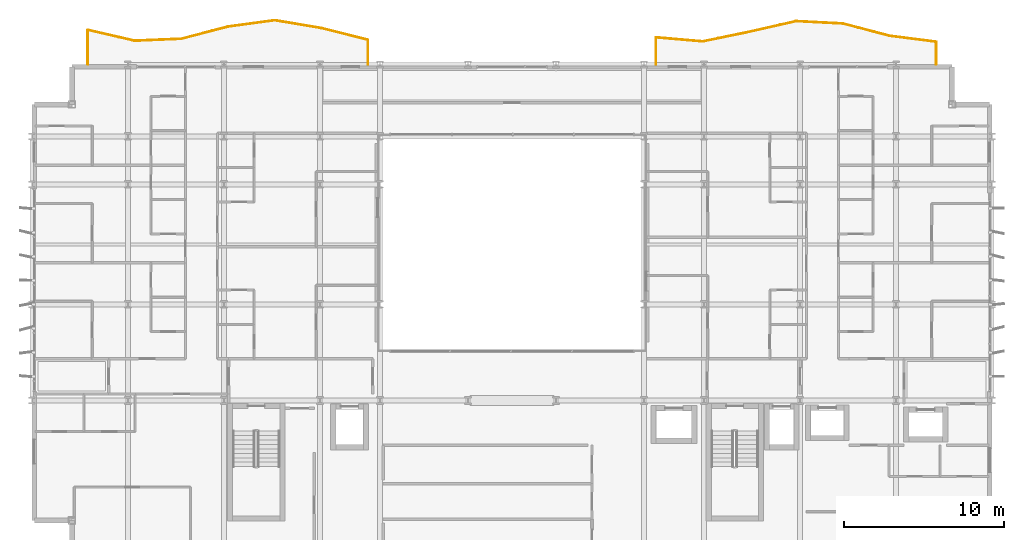
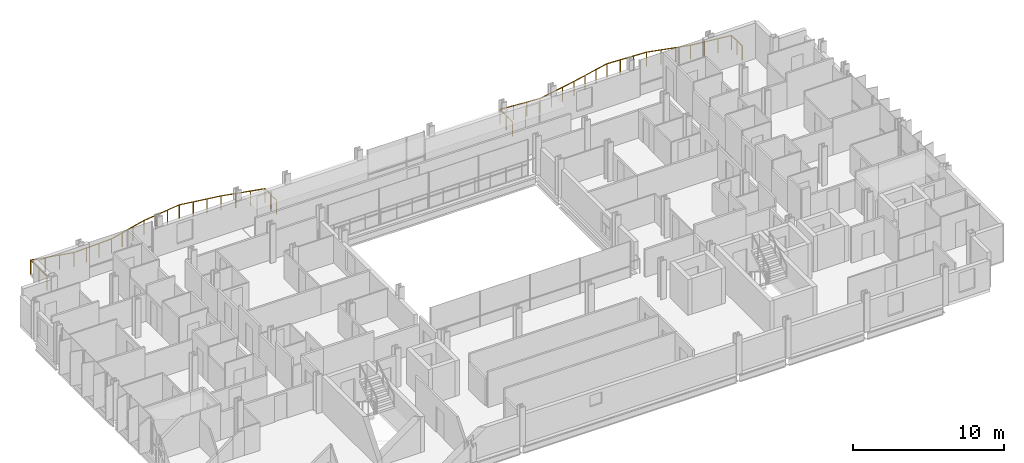
# One storey, part 39 of 39: 2 railings.
"""IFC4 building model written with IfcOpenShell, lengths in metres."""

from ifc_helpers import new_model, si_unit, direction, frame, origin, origin_2d, place, context, subcontext, project, spatial, circle, extrude, material, type_object, element, save


model = new_model("IFC4")

# Units and contexts
model_context = context("Model", 3, precision=1e-05, world=origin(), true_north=direction((0.0, 1.0)))
body_context = subcontext(model_context, "Body", "Model", "MODEL_VIEW")
ifc_project = project(units=[si_unit("LENGTHUNIT", "METRE"), si_unit("AREAUNIT", "SQUARE_METRE"), si_unit("VOLUMEUNIT", "CUBIC_METRE"), si_unit("PLANEANGLEUNIT", "RADIAN"), si_unit("MASSUNIT", "GRAM", prefix="KILO")], contexts=[model_context])

# Site, building, storey
site_placement = place(None, origin())
site = spatial("IfcSite", under=ifc_project, at=site_placement, CompositionType="ELEMENT")
building_placement = place(site_placement, origin())
building = spatial("IfcBuilding", under=site, at=building_placement, Name="Brevholm Reach", CompositionType="ELEMENT")
storey_placement = place(building_placement, frame((0.0, 0.0, 34.199951171875)))
storey = spatial("IfcBuildingStorey", under=building, at=storey_placement, Name="L08", CompositionType="ELEMENT", Elevation=34.199951171875)

# Railings
ifc_material = material(Name="Brushed Stainless Steel EN 1.4401 and Laminated Glass", Category="steel")
railing_type = type_object("IfcRailingType", Name="RAL-BALC-1150", PredefinedType="BALUSTRADE", material=ifc_material)
railing_1_placement = place(storey_placement, frame((56.5, 31.0, 0.0)))
element("IfcRailing", 1, at=railing_1_placement, inside=storey, type_object=railing_type, Name="L08 Guard Balustrade RAL-L08-BAL-NE", PredefinedType="BALUSTRADE", context=body_context, shape_type="SweptSolid", body=[
    extrude(circle(Radius=0.02392578125, at=origin_2d()), frame((0.0, 0.0, 1.1259765625), z_axis=(0.0, 1.0, 0.0), x_axis=(-1.0, 0.0, 0.0)), (0.0, 0.0, 1.0), 1.40380859375),
    extrude(circle(Radius=0.02392578125, at=origin_2d()), frame((0.0, 1.40380859375, 1.1259765625), z_axis=(-0.991825721968, 0.127599910828, 0.0), x_axis=(-0.127599910828, -0.991825721968, 0.0)), (0.0, 0.0, 1.0), 2.940673828125),
    extrude(circle(Radius=0.02392578125, at=origin_2d()), frame((-2.916748046875, 1.779052734375, 1.1259765625), z_axis=(-0.967287116441, 0.253684123205, 0.0), x_axis=(-0.253684123205, -0.967287116441, 0.0)), (0.0, 0.0, 1.0), 3.01513671875),
    extrude(circle(Radius=0.02392578125, at=origin_2d()), frame((-5.833251953125, 2.5439453125, 1.1259765625), z_axis=(-0.998720239463, 0.050575520622, 0.0), x_axis=(-0.050575520622, -0.998720239463, 0.0)), (0.0, 0.0, 1.0), 2.92041015625),
    extrude(circle(Radius=0.02392578125, at=origin_2d()), frame((-8.75, 2.691650390625, 1.1259765625), z_axis=(-0.975066268344, -0.221913884961, 0.0), x_axis=(0.221913884961, -0.975066268344, 0.0)), (0.0, 0.0, 1.0), 2.991455078125),
    extrude(circle(Radius=0.02392578125, at=origin_2d()), frame((-11.666748046875, 2.02783203125, 1.1259765625), z_axis=(-0.979367411888, -0.202087784221, 0.0), x_axis=(0.202087784221, -0.979367411888, 0.0)), (0.0, 0.0, 1.0), 2.97802734375),
    extrude(circle(Radius=0.02392578125, at=origin_2d()), frame((-14.583251953125, 1.426025390625, 1.1259765625), z_axis=(-0.996282713287, 0.086143805376, 0.0), x_axis=(-0.086143805376, -0.996282713287, 0.0)), (0.0, 0.0, 1.0), 2.927734375),
    extrude(circle(Radius=0.02392578125, at=origin_2d()), frame((-17.5, 1.67822265625, 1.1259765625), z_axis=(0.0, -1.0, 0.0), x_axis=(1.0, 0.0, 0.0)), (0.0, 0.0, 1.0), 1.67822265625),
    extrude(circle(Radius=0.02099609375, at=origin_2d()), origin(), (0.0, 0.0, 1.0), 1.101806640625),
    extrude(circle(Radius=0.02099609375, at=origin_2d()), frame((0.0, 0.701904296875, 0.0)), (0.0, 0.0, 1.0), 1.101806640625),
    extrude(circle(Radius=0.02099609375, at=origin_2d()), frame((0.0, 1.40380859375, 0.0)), (0.0, 0.0, 1.0), 1.101806640625),
    extrude(circle(Radius=0.02099609375, at=origin_2d()), frame((-0.97216796875, 1.52880859375, 0.0)), (0.0, 0.0, 1.0), 1.101806640625),
    extrude(circle(Radius=0.02099609375, at=origin_2d()), frame((-1.944580078125, 1.654052734375, 0.0)), (0.0, 0.0, 1.0), 1.101806640625),
    extrude(circle(Radius=0.02099609375, at=origin_2d()), frame((-2.916748046875, 1.779052734375, 0.0)), (0.0, 0.0, 1.0), 1.101806640625),
    extrude(circle(Radius=0.02099609375, at=origin_2d()), frame((-3.888916015625, 2.033935546875, 0.0)), (0.0, 0.0, 1.0), 1.101806640625),
    extrude(circle(Radius=0.02099609375, at=origin_2d()), frame((-4.861083984375, 2.2890625, 0.0)), (0.0, 0.0, 1.0), 1.101806640625),
    extrude(circle(Radius=0.02099609375, at=origin_2d()), frame((-5.833251953125, 2.5439453125, 0.0)), (0.0, 0.0, 1.0), 1.101806640625),
    extrude(circle(Radius=0.02099609375, at=origin_2d()), frame((-6.805419921875, 2.59326171875, 0.0)), (0.0, 0.0, 1.0), 1.101806640625),
    extrude(circle(Radius=0.02099609375, at=origin_2d()), frame((-7.77783203125, 2.642333984375, 0.0)), (0.0, 0.0, 1.0), 1.101806640625),
    extrude(circle(Radius=0.02099609375, at=origin_2d()), frame((-8.75, 2.691650390625, 0.0)), (0.0, 0.0, 1.0), 1.101806640625),
    extrude(circle(Radius=0.02099609375, at=origin_2d()), frame((-9.72216796875, 2.470458984375, 0.0)), (0.0, 0.0, 1.0), 1.101806640625),
    extrude(circle(Radius=0.02099609375, at=origin_2d()), frame((-10.694580078125, 2.2490234375, 0.0)), (0.0, 0.0, 1.0), 1.101806640625),
    extrude(circle(Radius=0.02099609375, at=origin_2d()), frame((-11.666748046875, 2.02783203125, 0.0)), (0.0, 0.0, 1.0), 1.101806640625),
    extrude(circle(Radius=0.02099609375, at=origin_2d()), frame((-12.638916015625, 1.8271484375, 0.0)), (0.0, 0.0, 1.0), 1.101806640625),
    extrude(circle(Radius=0.02099609375, at=origin_2d()), frame((-13.611083984375, 1.626708984375, 0.0)), (0.0, 0.0, 1.0), 1.101806640625),
    extrude(circle(Radius=0.02099609375, at=origin_2d()), frame((-14.583251953125, 1.426025390625, 0.0)), (0.0, 0.0, 1.0), 1.101806640625),
    extrude(circle(Radius=0.02099609375, at=origin_2d()), frame((-15.555419921875, 1.510009765625, 0.0)), (0.0, 0.0, 1.0), 1.101806640625),
    extrude(circle(Radius=0.02099609375, at=origin_2d()), frame((-16.52783203125, 1.59423828125, 0.0)), (0.0, 0.0, 1.0), 1.101806640625),
    extrude(circle(Radius=0.02099609375, at=origin_2d()), frame((-17.5, 1.67822265625, 0.0)), (0.0, 0.0, 1.0), 1.101806640625),
    extrude(circle(Radius=0.02099609375, at=origin_2d()), frame((-17.5, 0.839111328125, 0.0)), (0.0, 0.0, 1.0), 1.101806640625),
    extrude(circle(Radius=0.02099609375, at=origin_2d()), frame((-17.5, 0.0, 0.0)), (0.0, 0.0, 1.0), 1.101806640625),
])
railing_2_placement = place(storey_placement, frame((21.0, 31.0, 0.0)))
element("IfcRailing", 2, at=railing_2_placement, inside=storey, type_object=railing_type, Name="L08 Guard Balustrade RAL-L08-BAL-NW", PredefinedType="BALUSTRADE", context=body_context, shape_type="SweptSolid", body=[
    extrude(circle(Radius=0.02392578125, at=origin_2d()), frame((0.0, 0.0, 1.1259765625), z_axis=(0.0, 1.0, 0.0), x_axis=(-1.0, 0.0, 0.0)), (0.0, 0.0, 1.0), 1.52880859375),
    extrude(circle(Radius=0.02392578125, at=origin_2d()), frame((0.0, 1.52880859375, 1.1259765625), z_axis=(-0.969908046993, 0.243471518618, 0.0), x_axis=(-0.243471518618, -0.969908046993, 0.0)), (0.0, 0.0, 1.0), 3.00732421875),
    extrude(circle(Radius=0.02392578125, at=origin_2d()), frame((-2.916748046875, 2.260986328125, 1.1259765625), z_axis=(-0.986326897089, 0.164800643445, 0.0), x_axis=(-0.164800643445, -0.986326897089, 0.0)), (0.0, 0.0, 1.0), 2.95703125),
    extrude(circle(Radius=0.02392578125, at=origin_2d()), frame((-5.833251953125, 2.748291015625, 1.1259765625), z_axis=(-0.990787222307, -0.135427767141, 0.0), x_axis=(0.135427767141, -0.990787222307, 0.0)), (0.0, 0.0, 1.0), 2.94384765625),
    extrude(circle(Radius=0.02392578125, at=origin_2d()), frame((-8.75, 2.349609375, 1.1259765625), z_axis=(-0.967668860758, -0.252224058961, 0.0), x_axis=(0.252224058961, -0.967668860758, 0.0)), (0.0, 0.0, 1.0), 3.01416015625),
    extrude(circle(Radius=0.02392578125, at=origin_2d()), frame((-11.666748046875, 1.58935546875, 1.1259765625), z_axis=(-0.999139150441, -0.041484431493, 0.0), x_axis=(0.041484431493, -0.999139150441, 0.0)), (0.0, 0.0, 1.0), 2.9189453125),
    extrude(circle(Radius=0.02392578125, at=origin_2d()), frame((-14.583251953125, 1.46826171875, 1.1259765625), z_axis=(-0.974086615793, 0.226175296912, 0.0), x_axis=(-0.226175296912, -0.974086615793, 0.0)), (0.0, 0.0, 1.0), 2.994384765625),
    extrude(circle(Radius=0.02392578125, at=origin_2d()), frame((-17.5, 2.1455078125, 1.1259765625), z_axis=(0.0, -1.0, 0.0), x_axis=(1.0, 0.0, 0.0)), (0.0, 0.0, 1.0), 2.1455078125),
    extrude(circle(Radius=0.02099609375, at=origin_2d()), origin(), (0.0, 0.0, 1.0), 1.101806640625),
    extrude(circle(Radius=0.02099609375, at=origin_2d()), frame((0.0, 0.764404296875, 0.0)), (0.0, 0.0, 1.0), 1.101806640625),
    extrude(circle(Radius=0.02099609375, at=origin_2d()), frame((0.0, 1.52880859375, 0.0)), (0.0, 0.0, 1.0), 1.101806640625),
    extrude(circle(Radius=0.02099609375, at=origin_2d()), frame((-0.97216796875, 1.77294921875, 0.0)), (0.0, 0.0, 1.0), 1.101806640625),
    extrude(circle(Radius=0.02099609375, at=origin_2d()), frame((-1.944580078125, 2.016845703125, 0.0)), (0.0, 0.0, 1.0), 1.101806640625),
    extrude(circle(Radius=0.02099609375, at=origin_2d()), frame((-2.916748046875, 2.260986328125, 0.0)), (0.0, 0.0, 1.0), 1.101806640625),
    extrude(circle(Radius=0.02099609375, at=origin_2d()), frame((-3.888916015625, 2.42333984375, 0.0)), (0.0, 0.0, 1.0), 1.101806640625),
    extrude(circle(Radius=0.02099609375, at=origin_2d()), frame((-4.861083984375, 2.5859375, 0.0)), (0.0, 0.0, 1.0), 1.101806640625),
    extrude(circle(Radius=0.02099609375, at=origin_2d()), frame((-5.833251953125, 2.748291015625, 0.0)), (0.0, 0.0, 1.0), 1.101806640625),
    extrude(circle(Radius=0.02099609375, at=origin_2d()), frame((-6.805419921875, 2.615478515625, 0.0)), (0.0, 0.0, 1.0), 1.101806640625),
    extrude(circle(Radius=0.02099609375, at=origin_2d()), frame((-7.77783203125, 2.482421875, 0.0)), (0.0, 0.0, 1.0), 1.101806640625),
    extrude(circle(Radius=0.02099609375, at=origin_2d()), frame((-8.75, 2.349609375, 0.0)), (0.0, 0.0, 1.0), 1.101806640625),
    extrude(circle(Radius=0.02099609375, at=origin_2d()), frame((-9.72216796875, 2.09619140625, 0.0)), (0.0, 0.0, 1.0), 1.101806640625),
    extrude(circle(Radius=0.02099609375, at=origin_2d()), frame((-10.694580078125, 1.8427734375, 0.0)), (0.0, 0.0, 1.0), 1.101806640625),
    extrude(circle(Radius=0.02099609375, at=origin_2d()), frame((-11.666748046875, 1.58935546875, 0.0)), (0.0, 0.0, 1.0), 1.101806640625),
    extrude(circle(Radius=0.02099609375, at=origin_2d()), frame((-12.638916015625, 1.549072265625, 0.0)), (0.0, 0.0, 1.0), 1.101806640625),
    extrude(circle(Radius=0.02099609375, at=origin_2d()), frame((-13.611083984375, 1.508544921875, 0.0)), (0.0, 0.0, 1.0), 1.101806640625),
    extrude(circle(Radius=0.02099609375, at=origin_2d()), frame((-14.583251953125, 1.46826171875, 0.0)), (0.0, 0.0, 1.0), 1.101806640625),
    extrude(circle(Radius=0.02099609375, at=origin_2d()), frame((-15.555419921875, 1.694091796875, 0.0)), (0.0, 0.0, 1.0), 1.101806640625),
    extrude(circle(Radius=0.02099609375, at=origin_2d()), frame((-16.52783203125, 1.919677734375, 0.0)), (0.0, 0.0, 1.0), 1.101806640625),
    extrude(circle(Radius=0.02099609375, at=origin_2d()), frame((-17.5, 2.1455078125, 0.0)), (0.0, 0.0, 1.0), 1.101806640625),
    extrude(circle(Radius=0.02099609375, at=origin_2d()), frame((-17.5, 1.07275390625, 0.0)), (0.0, 0.0, 1.0), 1.101806640625),
    extrude(circle(Radius=0.02099609375, at=origin_2d()), frame((-17.5, 0.0, 0.0)), (0.0, 0.0, 1.0), 1.101806640625),
])

save(model, "model.ifc")
